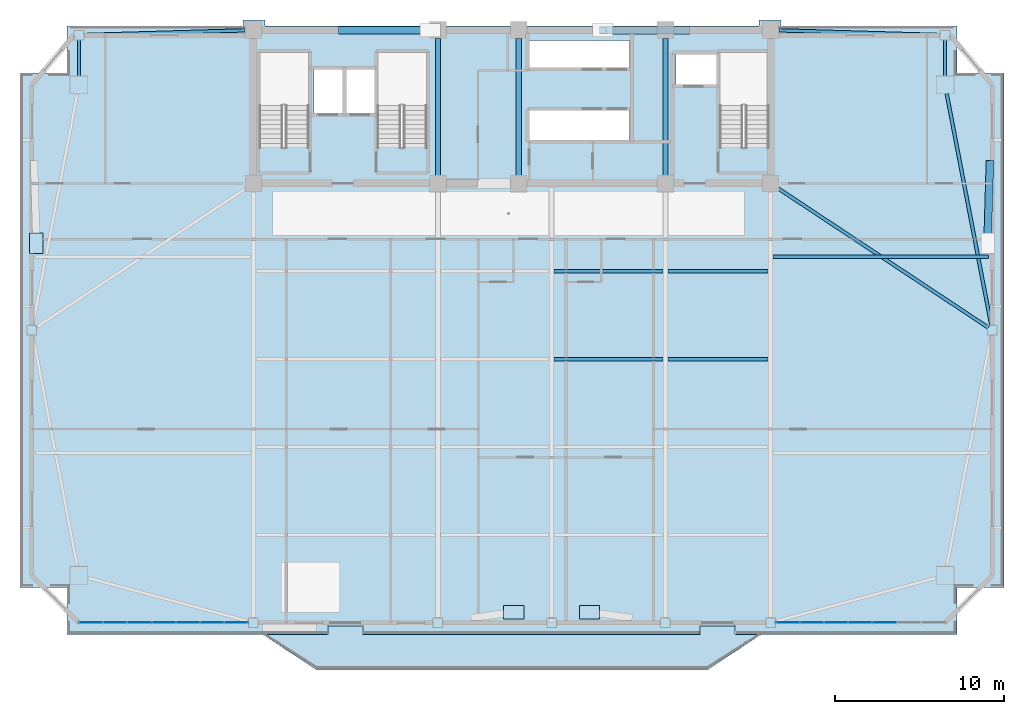
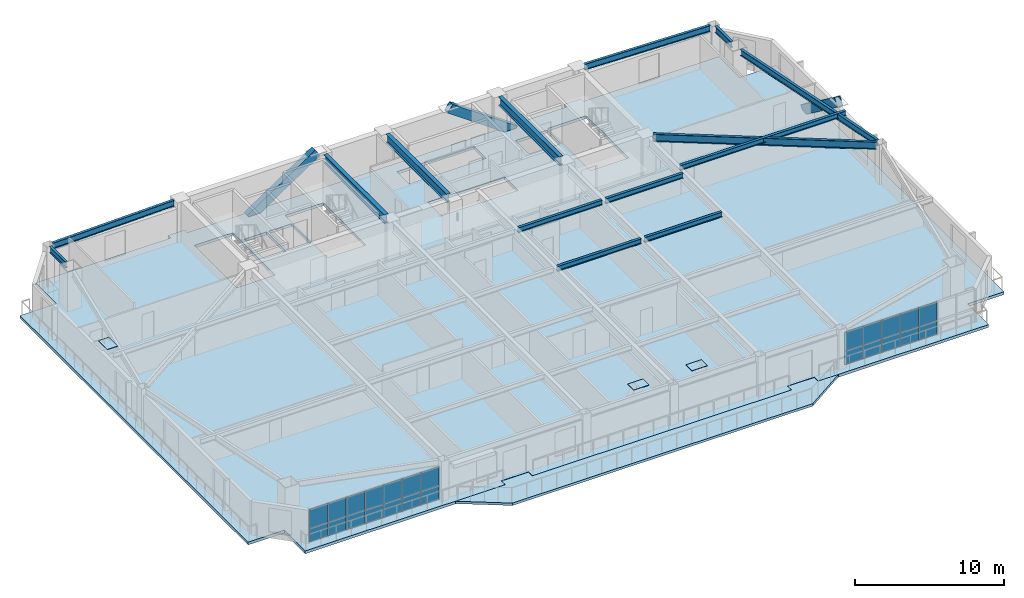
# One storey, part 7 of 17: 27 plates, 14 beams, 3 members, 2 slabs, 2 elements without a shape of their own.
"""IFC4 building model written with IfcOpenShell, lengths in metres."""

from ifc_helpers import new_model, si_unit, direction, frame, origin, origin_2d, place, context, subcontext, project, spatial, polyline, rectangle, hollow_rectangle, i_section, outline, extrude, source, transform, mapped, material, layer, layer_set, material_profile, profile_set, type_object, element, aggregate, save


model = new_model("IFC4")

# Units and contexts
model_context = context("Model", 3, precision=1e-05, world=origin(), true_north=direction((0.0, 1.0)))
body_context = subcontext(model_context, "Body", "Model", "MODEL_VIEW")
ifc_project = project(units=[si_unit("LENGTHUNIT", "METRE"), si_unit("AREAUNIT", "SQUARE_METRE"), si_unit("VOLUMEUNIT", "CUBIC_METRE"), si_unit("PLANEANGLEUNIT", "RADIAN"), si_unit("MASSUNIT", "GRAM", prefix="KILO")], contexts=[model_context])

# Site, building, storey
site_placement = place(None, origin())
site = spatial("IfcSite", under=ifc_project, at=site_placement, CompositionType="ELEMENT")
building_placement = place(site_placement, origin())
building = spatial("IfcBuilding", under=site, at=building_placement, Name="Giltprow Tower", CompositionType="ELEMENT")
storey_placement = place(building_placement, frame((0.0, 0.0, 206.199951171875)))
storey = spatial("IfcBuildingStorey", under=building, at=storey_placement, Name="L52", CompositionType="ELEMENT", Elevation=206.199951171875)

# Beams
ifc_material_1 = material(Name="Structural steel Q355B", Category="steel")
ifc_material_profile_1 = material_profile(ifc_material_1, i_section(OverallWidth=0.300048828125, OverallDepth=0.699951171875, WebThickness=0.012939453125, FlangeThickness=0.02392578125, at=origin_2d()), Name="HN 700x300x13x24")
ifc_profile_set_1 = profile_set([ifc_material_profile_1], Name="Structural steel Q355B")
beam_type_1 = type_object("IfcBeamType", Name="BM-GIRD-HN700", PredefinedType="BEAM", material=ifc_profile_set_1)
shared_shape_1 = source(origin(), body_context, "Body", "SweptSolid", [
    extrude(i_section(OverallWidth=0.300048828125, OverallDepth=0.699951171875, WebThickness=0.012939453125, FlangeThickness=0.02392578125, at=origin_2d()), origin(), (0.0, 0.0, 1.0), 8.1298828125),
])
for number, where, z_axis, x_axis, name in (
    (1, (30.800048828125, 37.93505859375, 2.920166015625), (0.0, 1.0, 0.0), (-1.0, 0.0, 0.0), "L52 Core Tie Girder M1"),
    (2, (35.60009765625, 37.93505859375, 2.920166015625), (0.0, 1.0, 0.0), (-1.0, 0.0, 0.0), "L52 Core Tie Girder M2"),
    (3, (44.300048828125, 37.93505859375, 2.920166015625), (0.0, 1.0, 0.0), (-1.0, 0.0, 0.0), "L52 Core Tie Girder M3"),
):
    element("IfcBeam", number, at=place(storey_placement, frame(where, z_axis=z_axis, x_axis=x_axis)), inside=storey, type_object=beam_type_1, Name=name, PredefinedType="BEAM", context=body_context, shape_type="MappedRepresentation", body=[
        mapped(shared_shape_1, transform((0.0, 0.0, 0.0), x_axis=(1.0, 0.0, 0.0), y_axis=(0.0, 1.0, 0.0), z_axis=(0.0, 0.0, 1.0), scale=1.0)),
    ])
ifc_material_profile_2 = material_profile(ifc_material_1, i_section(OverallWidth=0.199951171875, OverallDepth=0.5, WebThickness=0.010009765625, FlangeThickness=0.01611328125, at=origin_2d()), Name="HN 500x200x10x16")
ifc_profile_set_2 = profile_set([ifc_material_profile_2], Name="Structural steel Q355B")
beam_type_2 = type_object("IfcBeamType", Name="BM-SPAN-HN500", PredefinedType="SPANDREL", material=ifc_profile_set_2)
shared_shape_2 = source(origin(), body_context, "Body", "SweptSolid", [
    extrude(i_section(OverallWidth=0.199951171875, OverallDepth=0.5, WebThickness=0.010009765625, FlangeThickness=0.01611328125, at=origin_2d()), origin(), (0.0, 0.0, 1.0), 14.00390625),
])
beam_1_placement = place(storey_placement, frame((63.64404296875, 29.02294921875, 3.02001953125), z_axis=(-0.188875844444, 0.982000975247, 0.0), x_axis=(-0.982000975247, -0.188875844444, 0.0)))
element("IfcBeam", 4, at=beam_1_placement, inside=storey, type_object=beam_type_2, Name="L52 Perimeter Spandrel Beam E_MID-MC_NE", PredefinedType="SPANDREL", context=body_context, shape_type="MappedRepresentation", body=[
    mapped(shared_shape_2, transform((0.0, 0.0, 0.0), x_axis=(1.0, 0.0, 0.0), y_axis=(0.0, 1.0, 0.0), z_axis=(0.0, 0.0, 1.0), scale=1.0)),
])
shared_shape_3 = source(origin(), body_context, "Body", "SweptSolid", [
    extrude(i_section(OverallWidth=0.199951171875, OverallDepth=0.5, WebThickness=0.010009765625, FlangeThickness=0.01611328125, at=origin_2d()), origin(), (0.0, 0.0, 1.0), 2.130126953125),
])
for number, where, z_axis, x_axis, name in (
    (5, (60.89794921875, 43.8349609375, 3.02001953125), (0.0, 1.0, 0.0), (-1.0, 0.0, 0.0), "L52 Perimeter Spandrel Beam MC_NE-N_E"),
    (6, (9.5029296875, 45.965087890625, 3.02001953125), (0.0, -1.0, 0.0), (1.0, 0.0, 0.0), "L52 Perimeter Spandrel Beam N_W-MC_NW"),
):
    element("IfcBeam", number, at=place(storey_placement, frame(where, z_axis=z_axis, x_axis=x_axis)), inside=storey, type_object=beam_type_2, Name=name, PredefinedType="SPANDREL", context=body_context, shape_type="MappedRepresentation", body=[
        mapped(shared_shape_3, transform((0.0, 0.0, 0.0), x_axis=(1.0, 0.0, 0.0), y_axis=(0.0, 1.0, 0.0), z_axis=(0.0, 0.0, 1.0), scale=1.0)),
    ])
shared_shape_4 = source(origin(), body_context, "Body", "SweptSolid", [
    extrude(i_section(OverallWidth=0.199951171875, OverallDepth=0.5, WebThickness=0.010009765625, FlangeThickness=0.01611328125, at=origin_2d()), origin(), (0.0, 0.0, 1.0), 9.5810546875),
])
beam_2_placement = place(storey_placement, frame((9.7880859375, 46.258056640625, 3.02001953125), z_axis=(0.999579457094, 0.028998430218, 0.0), x_axis=(-0.028998430218, 0.999579457094, 0.0)))
element("IfcBeam", 7, at=beam_2_placement, inside=storey, type_object=beam_type_2, Name="L52 North Wing Spandrel W", PredefinedType="SPANDREL", context=body_context, shape_type="MappedRepresentation", body=[
    mapped(shared_shape_4, transform((0.0, 0.0, 0.0), x_axis=(1.0, 0.0, 0.0), y_axis=(0.0, 1.0, 0.0), z_axis=(0.0, 0.0, 1.0), scale=1.0)),
])
shared_shape_5 = source(origin(), body_context, "Body", "SweptSolid", [
    extrude(i_section(OverallWidth=0.199951171875, OverallDepth=0.5, WebThickness=0.010009765625, FlangeThickness=0.01611328125, at=origin_2d()), origin(), (0.0, 0.0, 1.0), 9.582275390625),
])
beam_3_placement = place(storey_placement, frame((51.034912109375, 46.535888671875, 3.02001953125), z_axis=(0.999579564214, -0.028994737563, 0.0), x_axis=(0.028994737563, 0.999579564214, 0.0)))
element("IfcBeam", 8, at=beam_3_placement, inside=storey, type_object=beam_type_2, Name="L52 North Wing Spandrel E", PredefinedType="SPANDREL", context=body_context, shape_type="MappedRepresentation", body=[
    mapped(shared_shape_5, transform((0.0, 0.0, 0.0), x_axis=(1.0, 0.0, 0.0), y_axis=(0.0, 1.0, 0.0), z_axis=(0.0, 0.0, 1.0), scale=1.0)),
])
ifc_material_profile_3 = material_profile(ifc_material_1, i_section(OverallWidth=0.199951171875, OverallDepth=0.60009765625, WebThickness=0.010986328125, FlangeThickness=0.01708984375, at=origin_2d()), Name="HN 600x200x11x17")
ifc_profile_set_3 = profile_set([ifc_material_profile_3], Name="Structural steel Q355B")
beam_type_3 = type_object("IfcBeamType", Name="BM-GIRD-HN600", PredefinedType="BEAM", material=ifc_profile_set_3)
shared_shape_6 = source(origin(), body_context, "Body", "SweptSolid", [
    extrude(i_section(OverallWidth=0.199951171875, OverallDepth=0.60009765625, WebThickness=0.010986328125, FlangeThickness=0.01708984375, at=origin_2d()), origin(), (0.0, 0.0, 1.0), 14.99951171875),
])
beam_4_placement = place(storey_placement, frame((63.4599609375, 28.89990234375, 2.969970703125), z_axis=(-0.833746652219, 0.552147190442, 0.0), x_axis=(-0.552147190442, -0.833746652219, 0.0)))
element("IfcBeam", 9, at=beam_4_placement, inside=storey, type_object=beam_type_3, Name="L52 East Wing Primary Girder", PredefinedType="BEAM", context=body_context, shape_type="MappedRepresentation", body=[
    mapped(shared_shape_6, transform((0.0, 0.0, 0.0), x_axis=(1.0, 0.0, 0.0), y_axis=(0.0, 1.0, 0.0), z_axis=(0.0, 0.0, 1.0), scale=1.0)),
])
ifc_material_profile_4 = material_profile(ifc_material_1, i_section(OverallWidth=0.199951171875, OverallDepth=0.39990234375, WebThickness=0.008056640625, FlangeThickness=0.012939453125, at=origin_2d()), Name="HN 400x200x8x13")
ifc_profile_set_4 = profile_set([ifc_material_profile_4], Name="Structural steel Q355B")
beam_type_4 = type_object("IfcBeamType", Name="BM-JOIST-HN400", PredefinedType="JOIST", material=ifc_profile_set_4)
shared_shape_7 = source(origin(), body_context, "Body", "SweptSolid", [
    extrude(i_section(OverallWidth=0.199951171875, OverallDepth=0.39990234375, WebThickness=0.008056640625, FlangeThickness=0.012939453125, at=origin_2d()), origin(), (0.0, 0.0, 1.0), 6.4599609375),
])
for number, where, z_axis, x_axis, name in (
    (10, (37.695068359375, 27.02392578125, 3.070068359375), (1.0, 0.0, 0.0), (0.0, 1.0, 0.0), "L52 Composite Floor Joist 3-3"),
    (11, (37.695068359375, 32.237060546875, 3.070068359375), (1.0, 0.0, 0.0), (0.0, 1.0, 0.0), "L52 Composite Floor Joist 4-3"),
):
    element("IfcBeam", number, at=place(storey_placement, frame(where, z_axis=z_axis, x_axis=x_axis)), inside=storey, type_object=beam_type_4, Name=name, PredefinedType="JOIST", context=body_context, shape_type="MappedRepresentation", body=[
        mapped(shared_shape_7, transform((0.0, 0.0, 0.0), x_axis=(1.0, 0.0, 0.0), y_axis=(0.0, 1.0, 0.0), z_axis=(0.0, 0.0, 1.0), scale=1.0)),
    ])
shared_shape_8 = source(origin(), body_context, "Body", "SweptSolid", [
    extrude(i_section(OverallWidth=0.199951171875, OverallDepth=0.39990234375, WebThickness=0.008056640625, FlangeThickness=0.012939453125, at=origin_2d()), origin(), (0.0, 0.0, 1.0), 5.9599609375),
])
for number, where, z_axis, x_axis, name in (
    (12, (44.445068359375, 27.02392578125, 3.070068359375), (1.0, 0.0, 0.0), (0.0, 1.0, 0.0), "L52 Composite Floor Joist 3-4"),
    (13, (44.445068359375, 32.237060546875, 3.070068359375), (1.0, 0.0, 0.0), (0.0, 1.0, 0.0), "L52 Composite Floor Joist 4-4"),
):
    element("IfcBeam", number, at=place(storey_placement, frame(where, z_axis=z_axis, x_axis=x_axis)), inside=storey, type_object=beam_type_4, Name=name, PredefinedType="JOIST", context=body_context, shape_type="MappedRepresentation", body=[
        mapped(shared_shape_8, transform((0.0, 0.0, 0.0), x_axis=(1.0, 0.0, 0.0), y_axis=(0.0, 1.0, 0.0), z_axis=(0.0, 0.0, 1.0), scale=1.0)),
    ])
shared_shape_9 = source(origin(), body_context, "Body", "SweptSolid", [
    extrude(i_section(OverallWidth=0.199951171875, OverallDepth=0.39990234375, WebThickness=0.008056640625, FlangeThickness=0.012939453125, at=origin_2d()), origin(), (0.0, 0.0, 1.0), 12.782958984375),
])
beam_5_placement = place(storey_placement, frame((50.695068359375, 33.095947265625, 3.070068359375), z_axis=(1.0, 0.0, 0.0), x_axis=(0.0, 1.0, 0.0)))
element("IfcBeam", 14, at=beam_5_placement, inside=storey, type_object=beam_type_4, Name="L52 East Wing Floor Joist 2", PredefinedType="JOIST", context=body_context, shape_type="MappedRepresentation", body=[
    mapped(shared_shape_9, transform((0.0, 0.0, 0.0), x_axis=(1.0, 0.0, 0.0), y_axis=(0.0, 1.0, 0.0), z_axis=(0.0, 0.0, 1.0), scale=1.0)),
])

# Members
ifc_material_2 = material(Name="Structural steel Q420GJC", Category="steel")
ifc_material_profile_5 = material_profile(ifc_material_2, hollow_rectangle(XDim=0.449951171875, YDim=0.699951171875, WallThickness=0.031982421875, at=origin_2d()), Name="RHS 700x450x32")
ifc_profile_set_5 = profile_set([ifc_material_profile_5], Name="Structural steel Q420GJC")
member_type = type_object("IfcMemberType", Name="MBR-MEGA-RHS700", PredefinedType="BRACE", material=ifc_profile_set_5)
shared_shape_10 = source(origin(), body_context, "Body", "SweptSolid", [
    extrude(hollow_rectangle(XDim=0.449951171875, YDim=0.699951171875, WallThickness=0.031982421875, at=origin_2d()), origin(), (0.0, 0.0, 1.0), 6.309814453125),
])
member_1_placement = place(storey_placement, frame((25.10009765625, 46.550048828125, -0.139892578125), z_axis=(0.832050294338, 0.0, 0.554700196225), x_axis=(0.0, 1.0, 0.0)))
element("IfcMember", 15, at=member_1_placement, inside=storey, type_object=member_type, Name="L52 Chevron Mega-Brace N-L", PredefinedType="BRACE", context=body_context, shape_type="MappedRepresentation", body=[
    mapped(shared_shape_10, transform((0.0, 0.0, 0.0), x_axis=(1.0, 0.0, 0.0), y_axis=(0.0, 1.0, 0.0), z_axis=(0.0, 0.0, 1.0), scale=1.0)),
])
shared_shape_11 = source(origin(), body_context, "Body", "SweptSolid", [
    extrude(hollow_rectangle(XDim=0.449951171875, YDim=0.699951171875, WallThickness=0.031982421875, at=origin_2d()), origin(), (0.0, 0.0, 1.0), 6.090087890625),
])
member_2_placement = place(storey_placement, frame((45.56689453125, 46.550048828125, -0.139892578125), z_axis=(-0.81836087487, 0.0, 0.574704688064), x_axis=(0.0, -1.0, 0.0)))
element("IfcMember", 16, at=member_2_placement, inside=storey, type_object=member_type, Name="L52 Chevron Mega-Brace N-R", PredefinedType="BRACE", context=body_context, shape_type="MappedRepresentation", body=[
    mapped(shared_shape_11, transform((0.0, 0.0, 0.0), x_axis=(1.0, 0.0, 0.0), y_axis=(0.0, 1.0, 0.0), z_axis=(0.0, 0.0, 1.0), scale=1.0)),
])
shared_shape_12 = source(origin(), body_context, "Body", "SweptSolid", [
    extrude(hollow_rectangle(XDim=0.449951171875, YDim=0.699951171875, WallThickness=0.031982421875, at=origin_2d()), origin(), (0.0, 0.0, 1.0), 5.859375),
])
member_3_placement = place(storey_placement, frame((63.55908203125, 38.60302734375, 0.0), z_axis=(-0.023583735141, -0.801638657896, 0.597343510556), x_axis=(0.999567529909, -0.029406685479, 0.0)))
element("IfcMember", 17, at=member_3_placement, inside=storey, type_object=member_type, Name="L52 Chevron Mega-Brace E-R", PredefinedType="BRACE", context=body_context, shape_type="MappedRepresentation", body=[
    mapped(shared_shape_12, transform((0.0, 0.0, 0.0), x_axis=(1.0, 0.0, 0.0), y_axis=(0.0, 1.0, 0.0), z_axis=(0.0, 0.0, 1.0), scale=1.0)),
])

# Slabs
ifc_material_3 = material(Name="Concrete C40", Category="concrete")
ifc_layer_1 = layer(ifc_material_3, 0.199951171875, Name="Concrete C40")
ifc_layer_set_1 = layer_set([ifc_layer_1], Name="Concrete C40")
slab_type_1 = type_object("IfcSlabType", Name="SLB-BALC-BRONZE-200", PredefinedType="FLOOR", material=ifc_layer_set_1)
slab_1_placement = place(storey_placement, frame((0.0, 0.0, -0.199951171875)))
element("IfcSlab", 18, at=slab_1_placement, inside=storey, type_object=slab_type_1, Name="L52 Bronze Prow Waterfront Balcony Slab", PredefinedType="FLOOR", context=body_context, shape_type="SweptSolid", body=[
    extrude(outline(polyline([(50.0, 10.68603515625), (46.800048828125, 8.5859375), (23.60009765625, 8.5859375), (20.39990234375, 10.68603515625), (24.280029296875, 10.68603515625), (24.280029296875, 11.18603515625), (26.320068359375, 11.18603515625), (26.320068359375, 10.68603515625), (46.3798828125, 10.68603515625), (46.3798828125, 11.18603515625), (48.419921875, 11.18603515625), (48.419921875, 10.68603515625), (50.0, 10.68603515625)])), origin(), (0.0, 0.0, 1.0), 0.199951171875),
])
ifc_layer_2 = layer(ifc_material_3, 0.22998046875, Name="Concrete C40")
ifc_layer_set_2 = layer_set([ifc_layer_2], Name="Concrete C40")
slab_type_2 = type_object("IfcSlabType", Name="SLB-HTL-230", PredefinedType="FLOOR", material=ifc_layer_set_2)
slab_2_placement = place(storey_placement, frame((0.0, 0.0, -0.22998046875)))
element("IfcSlab", 19, at=slab_2_placement, inside=storey, type_object=slab_type_2, Name="L52 Structural Composite Floor Slab", PredefinedType="FLOOR", context=body_context, shape_type="SweptSolid", body=[
    extrude(outline(polyline([(64.39794921875, 44.0), (64.39794921875, 13.486083984375), (61.597900390625, 13.486083984375), (61.597900390625, 10.68603515625), (48.449951171875, 10.68603515625), (48.449951171875, 11.2060546875), (46.35009765625, 11.2060546875), (46.35009765625, 10.68603515625), (26.35009765625, 10.68603515625), (26.35009765625, 11.2060546875), (24.25, 11.2060546875), (24.25, 10.68603515625), (8.802978515625, 10.68603515625), (8.802978515625, 13.486083984375), (6.0029296875, 13.486083984375), (6.0029296875, 44.0), (8.802978515625, 44.0), (8.802978515625, 46.800048828125), (19.25, 46.800048828125), (19.25, 47.14990234375), (20.550048828125, 47.14990234375), (20.550048828125, 46.800048828125), (49.85009765625, 46.800048828125), (49.85009765625, 47.14990234375), (51.14990234375, 47.14990234375), (51.14990234375, 46.800048828125), (61.597900390625, 46.800048828125), (61.597900390625, 44.0), (64.39794921875, 44.0)]), holes=[polyline([(42.169921875, 41.800048828125), (36.239990234375, 41.800048828125), (36.239990234375, 40.0), (42.169921875, 40.0), (42.169921875, 41.800048828125)]), polyline([(23.159912109375, 39.570068359375), (23.159912109375, 45.25), (20.199951171875, 45.25), (20.199951171875, 39.570068359375), (23.159912109375, 39.570068359375)]), polyline([(30.159912109375, 39.570068359375), (30.159912109375, 45.25), (27.199951171875, 45.25), (27.199951171875, 39.570068359375), (30.159912109375, 39.570068359375)]), polyline([(50.4599609375, 45.25), (47.5, 45.25), (47.5, 39.570068359375), (50.4599609375, 39.570068359375), (50.4599609375, 45.25)]), polyline([(25.169921875, 44.199951171875), (23.449951171875, 44.199951171875), (23.449951171875, 41.60009765625), (25.169921875, 41.60009765625), (25.169921875, 44.199951171875)]), polyline([(27.10009765625, 44.199951171875), (25.35009765625, 44.199951171875), (25.35009765625, 41.60009765625), (27.10009765625, 41.60009765625), (27.10009765625, 44.199951171875)]), polyline([(47.3798828125, 43.300048828125), (47.3798828125, 45.10009765625), (44.919921875, 45.10009765625), (44.919921875, 43.300048828125), (47.3798828125, 43.300048828125)]), polyline([(42.169921875, 44.300048828125), (42.169921875, 45.919921875), (36.239990234375, 45.919921875), (36.239990234375, 44.300048828125), (42.169921875, 44.300048828125)])]), origin(), (0.0, 0.0, 1.0), 0.22998046875),
])

# Plates
plate_type_1 = type_object("IfcPlateType", Name="PLT-CAP-SEAL", PredefinedType="USERDEFINED", material=ifc_material_2)
shared_shape_13 = source(origin(), body_context, "Body", "SweptSolid", [
    extrude(rectangle(XDim=1.199951171875, YDim=0.800048828125, at=origin_2d()), origin(), (0.0, 0.0, 1.0), 0.034912109375),
])
for number, where, z_axis, x_axis, name in (
    (20, (35.300048828125, 12.007080078125, 3.482421875), (0.0, 0.0, 1.0), (1.0, 0.0, 0.0), "Mega-Brace Node L52-S-LB"),
    (21, (39.800048828125, 12.007080078125, 3.482421875), (0.0, 0.0, 1.0), (1.0, 0.0, 0.0), "Mega-Brace Node L52-S-RB"),
    (22, (6.97998046875, 33.906005859375, 3.482421875), (0.0, 0.0, 1.0), (0.0, 1.0, 0.0), "Mega-Brace Node L52-W-RB"),
):
    element("IfcPlate", number, at=place(storey_placement, frame(where, z_axis=z_axis, x_axis=x_axis)), inside=storey, type_object=plate_type_1, Name=name, ObjectType="SPLICE", PredefinedType="USERDEFINED", context=body_context, shape_type="MappedRepresentation", body=[
        mapped(shared_shape_13, transform((0.0, 0.0, 0.0), x_axis=(1.0, 0.0, 0.0), y_axis=(0.0, 1.0, 0.0), z_axis=(0.0, 0.0, 1.0), scale=1.0)),
    ])

# Curtain wall, plates
ifc_material_4 = material(Name="Anodized bronze", Category="metal")
ifc_layer_3 = layer(ifc_material_4, 0.179931640625, Name="Anodized bronze")
ifc_layer_set_3 = layer_set([ifc_layer_3], Name="Anodized bronze")
curtain_wall_type = type_object("IfcCurtainWallType", Name="CW-HTL-BRONZE", PredefinedType="NOTDEFINED", material=ifc_layer_set_3)
curtain_wall_1_placement = place(storey_placement, origin())
curtain_wall_1 = element("IfcCurtainWall", 23, at=curtain_wall_1_placement, inside=storey, type_object=curtain_wall_type, Name="L52 South Recessed Curtain Wall 1", PredefinedType="NOTDEFINED")
ifc_material_5 = material(Name="Insulated glass", Category="glass")
plate_type_2 = type_object("IfcPlateType", Name="CW-PANEL-IGU-28", PredefinedType="CURTAIN_PANEL", material=ifc_material_5)
shared_shape_14 = source(origin(), body_context, "Body", "SweptSolid", [
    extrude(rectangle(XDim=1.405029296875, YDim=0.028076171875, at=origin_2d()), origin(), (0.0, 0.0, 1.0), 1.0869140625),
])
plate_1_placement = place(storey_placement, frame((10.220947265625, 11.385986328125, 0.0546875), z_axis=(0.0, 0.0, 1.0), x_axis=(1.0, 0.0, 0.0)))
plate_1 = element("IfcPlate", 24, at=plate_1_placement, type_object=plate_type_2, Name="L52 South Recessed Curtain Wall 1 Glazing Panel 1-1", PredefinedType="CURTAIN_PANEL", context=body_context, shape_type="MappedRepresentation", body=[
    mapped(shared_shape_14, transform((0.0, 0.0, 0.0), x_axis=(1.0, 0.0, 0.0), y_axis=(0.0, 1.0, 0.0), z_axis=(0.0, 0.0, 1.0), scale=1.0)),
])
plate_2_placement = place(storey_placement, frame((11.656005859375, 11.385986328125, 0.0546875), z_axis=(0.0, 0.0, 1.0), x_axis=(1.0, 0.0, 0.0)))
plate_2 = element("IfcPlate", 25, at=plate_2_placement, type_object=plate_type_2, Name="L52 South Recessed Curtain Wall 1 Glazing Panel 2-1", PredefinedType="CURTAIN_PANEL", context=body_context, shape_type="MappedRepresentation", body=[
    mapped(shared_shape_14, transform((0.0, 0.0, 0.0), x_axis=(1.0, 0.0, 0.0), y_axis=(0.0, 1.0, 0.0), z_axis=(0.0, 0.0, 1.0), scale=1.0)),
])
plate_3_placement = place(storey_placement, frame((13.091064453125, 11.385986328125, 0.0546875), z_axis=(0.0, 0.0, 1.0), x_axis=(1.0, 0.0, 0.0)))
plate_3 = element("IfcPlate", 26, at=plate_3_placement, type_object=plate_type_2, Name="L52 South Recessed Curtain Wall 1 Glazing Panel 3-1", PredefinedType="CURTAIN_PANEL", context=body_context, shape_type="MappedRepresentation", body=[
    mapped(shared_shape_14, transform((0.0, 0.0, 0.0), x_axis=(1.0, 0.0, 0.0), y_axis=(0.0, 1.0, 0.0), z_axis=(0.0, 0.0, 1.0), scale=1.0)),
])
plate_4_placement = place(storey_placement, frame((14.527099609375, 11.385986328125, 0.0546875), z_axis=(0.0, 0.0, 1.0), x_axis=(1.0, 0.0, 0.0)))
plate_4 = element("IfcPlate", 27, at=plate_4_placement, type_object=plate_type_2, Name="L52 South Recessed Curtain Wall 1 Glazing Panel 4-1", PredefinedType="CURTAIN_PANEL", context=body_context, shape_type="MappedRepresentation", body=[
    mapped(shared_shape_14, transform((0.0, 0.0, 0.0), x_axis=(1.0, 0.0, 0.0), y_axis=(0.0, 1.0, 0.0), z_axis=(0.0, 0.0, 1.0), scale=1.0)),
])
plate_5_placement = place(storey_placement, frame((15.9619140625, 11.385986328125, 0.0546875), z_axis=(0.0, 0.0, 1.0), x_axis=(1.0, 0.0, 0.0)))
plate_5 = element("IfcPlate", 28, at=plate_5_placement, type_object=plate_type_2, Name="L52 South Recessed Curtain Wall 1 Glazing Panel 5-1", PredefinedType="CURTAIN_PANEL", context=body_context, shape_type="MappedRepresentation", body=[
    mapped(shared_shape_14, transform((0.0, 0.0, 0.0), x_axis=(1.0, 0.0, 0.0), y_axis=(0.0, 1.0, 0.0), z_axis=(0.0, 0.0, 1.0), scale=1.0)),
])
plate_6_placement = place(storey_placement, frame((17.39697265625, 11.385986328125, 0.0546875), z_axis=(0.0, 0.0, 1.0), x_axis=(1.0, 0.0, 0.0)))
plate_6 = element("IfcPlate", 29, at=plate_6_placement, type_object=plate_type_2, Name="L52 South Recessed Curtain Wall 1 Glazing Panel 6-1", PredefinedType="CURTAIN_PANEL", context=body_context, shape_type="MappedRepresentation", body=[
    mapped(shared_shape_14, transform((0.0, 0.0, 0.0), x_axis=(1.0, 0.0, 0.0), y_axis=(0.0, 1.0, 0.0), z_axis=(0.0, 0.0, 1.0), scale=1.0)),
])
plate_7_placement = place(storey_placement, frame((18.83203125, 11.385986328125, 0.0546875), z_axis=(0.0, 0.0, 1.0), x_axis=(1.0, 0.0, 0.0)))
plate_7 = element("IfcPlate", 30, at=plate_7_placement, type_object=plate_type_2, Name="L52 South Recessed Curtain Wall 1 Glazing Panel 7-1", PredefinedType="CURTAIN_PANEL", context=body_context, shape_type="MappedRepresentation", body=[
    mapped(shared_shape_14, transform((0.0, 0.0, 0.0), x_axis=(1.0, 0.0, 0.0), y_axis=(0.0, 1.0, 0.0), z_axis=(0.0, 0.0, 1.0), scale=1.0)),
])

curtain_wall_2_placement = place(storey_placement, origin())
curtain_wall_2 = element("IfcCurtainWall", 31, at=curtain_wall_2_placement, inside=storey, type_object=curtain_wall_type, Name="L52 South Recessed Curtain Wall 6", PredefinedType="NOTDEFINED")
plate_8_placement = place(storey_placement, frame((51.568115234375, 11.385986328125, 0.0546875), z_axis=(0.0, 0.0, 1.0), x_axis=(1.0, 0.0, 0.0)))
plate_8 = element("IfcPlate", 32, at=plate_8_placement, type_object=plate_type_2, Name="L52 South Recessed Curtain Wall 6 Glazing Panel 1-1", PredefinedType="CURTAIN_PANEL", context=body_context, shape_type="MappedRepresentation", body=[
    mapped(shared_shape_14, transform((0.0, 0.0, 0.0), x_axis=(1.0, 0.0, 0.0), y_axis=(0.0, 1.0, 0.0), z_axis=(0.0, 0.0, 1.0), scale=1.0)),
])
plate_9_placement = place(storey_placement, frame((53.0029296875, 11.385986328125, 0.0546875), z_axis=(0.0, 0.0, 1.0), x_axis=(1.0, 0.0, 0.0)))
plate_9 = element("IfcPlate", 33, at=plate_9_placement, type_object=plate_type_2, Name="L52 South Recessed Curtain Wall 6 Glazing Panel 2-1", PredefinedType="CURTAIN_PANEL", context=body_context, shape_type="MappedRepresentation", body=[
    mapped(shared_shape_14, transform((0.0, 0.0, 0.0), x_axis=(1.0, 0.0, 0.0), y_axis=(0.0, 1.0, 0.0), z_axis=(0.0, 0.0, 1.0), scale=1.0)),
])
plate_10_placement = place(storey_placement, frame((54.43896484375, 11.385986328125, 0.0546875), z_axis=(0.0, 0.0, 1.0), x_axis=(1.0, 0.0, 0.0)))
plate_10 = element("IfcPlate", 34, at=plate_10_placement, type_object=plate_type_2, Name="L52 South Recessed Curtain Wall 6 Glazing Panel 3-1", PredefinedType="CURTAIN_PANEL", context=body_context, shape_type="MappedRepresentation", body=[
    mapped(shared_shape_14, transform((0.0, 0.0, 0.0), x_axis=(1.0, 0.0, 0.0), y_axis=(0.0, 1.0, 0.0), z_axis=(0.0, 0.0, 1.0), scale=1.0)),
])
plate_11_placement = place(storey_placement, frame((55.8740234375, 11.385986328125, 0.0546875), z_axis=(0.0, 0.0, 1.0), x_axis=(1.0, 0.0, 0.0)))
plate_11 = element("IfcPlate", 35, at=plate_11_placement, type_object=plate_type_2, Name="L52 South Recessed Curtain Wall 6 Glazing Panel 4-1", PredefinedType="CURTAIN_PANEL", context=body_context, shape_type="MappedRepresentation", body=[
    mapped(shared_shape_14, transform((0.0, 0.0, 0.0), x_axis=(1.0, 0.0, 0.0), y_axis=(0.0, 1.0, 0.0), z_axis=(0.0, 0.0, 1.0), scale=1.0)),
])
plate_12_placement = place(storey_placement, frame((57.30908203125, 11.385986328125, 0.0546875), z_axis=(0.0, 0.0, 1.0), x_axis=(1.0, 0.0, 0.0)))
plate_12 = element("IfcPlate", 36, at=plate_12_placement, type_object=plate_type_2, Name="L52 South Recessed Curtain Wall 6 Glazing Panel 5-1", PredefinedType="CURTAIN_PANEL", context=body_context, shape_type="MappedRepresentation", body=[
    mapped(shared_shape_14, transform((0.0, 0.0, 0.0), x_axis=(1.0, 0.0, 0.0), y_axis=(0.0, 1.0, 0.0), z_axis=(0.0, 0.0, 1.0), scale=1.0)),
])

# Plate
shared_shape_15 = source(origin(), body_context, "Body", "SweptSolid", [
    extrude(rectangle(XDim=1.405029296875, YDim=0.028076171875, at=origin_2d()), origin(), (0.0, 0.0, 1.0), 1.527099609375),
])
plate_13_placement = place(storey_placement, frame((10.220947265625, 11.385986328125, 1.16845703125), z_axis=(0.0, 0.0, 1.0), x_axis=(1.0, 0.0, 0.0)))
plate_13 = element("IfcPlate", 37, at=plate_13_placement, type_object=plate_type_2, Name="L52 South Recessed Curtain Wall 1 Glazing Panel 1-2", PredefinedType="CURTAIN_PANEL", context=body_context, shape_type="MappedRepresentation", body=[
    mapped(shared_shape_15, transform((0.0, 0.0, 0.0), x_axis=(1.0, 0.0, 0.0), y_axis=(0.0, 1.0, 0.0), z_axis=(0.0, 0.0, 1.0), scale=1.0)),
])

plate_14_placement = place(storey_placement, frame((11.656005859375, 11.385986328125, 1.16845703125), z_axis=(0.0, 0.0, 1.0), x_axis=(1.0, 0.0, 0.0)))
plate_14 = element("IfcPlate", 38, at=plate_14_placement, type_object=plate_type_2, Name="L52 South Recessed Curtain Wall 1 Glazing Panel 2-2", PredefinedType="CURTAIN_PANEL", context=body_context, shape_type="MappedRepresentation", body=[
    mapped(shared_shape_15, transform((0.0, 0.0, 0.0), x_axis=(1.0, 0.0, 0.0), y_axis=(0.0, 1.0, 0.0), z_axis=(0.0, 0.0, 1.0), scale=1.0)),
])

plate_15_placement = place(storey_placement, frame((13.091064453125, 11.385986328125, 1.16845703125), z_axis=(0.0, 0.0, 1.0), x_axis=(1.0, 0.0, 0.0)))
plate_15 = element("IfcPlate", 39, at=plate_15_placement, type_object=plate_type_2, Name="L52 South Recessed Curtain Wall 1 Glazing Panel 3-2", PredefinedType="CURTAIN_PANEL", context=body_context, shape_type="MappedRepresentation", body=[
    mapped(shared_shape_15, transform((0.0, 0.0, 0.0), x_axis=(1.0, 0.0, 0.0), y_axis=(0.0, 1.0, 0.0), z_axis=(0.0, 0.0, 1.0), scale=1.0)),
])

plate_16_placement = place(storey_placement, frame((14.527099609375, 11.385986328125, 1.16845703125), z_axis=(0.0, 0.0, 1.0), x_axis=(1.0, 0.0, 0.0)))
plate_16 = element("IfcPlate", 40, at=plate_16_placement, type_object=plate_type_2, Name="L52 South Recessed Curtain Wall 1 Glazing Panel 4-2", PredefinedType="CURTAIN_PANEL", context=body_context, shape_type="MappedRepresentation", body=[
    mapped(shared_shape_15, transform((0.0, 0.0, 0.0), x_axis=(1.0, 0.0, 0.0), y_axis=(0.0, 1.0, 0.0), z_axis=(0.0, 0.0, 1.0), scale=1.0)),
])

plate_17_placement = place(storey_placement, frame((15.9619140625, 11.385986328125, 1.16845703125), z_axis=(0.0, 0.0, 1.0), x_axis=(1.0, 0.0, 0.0)))
plate_17 = element("IfcPlate", 41, at=plate_17_placement, type_object=plate_type_2, Name="L52 South Recessed Curtain Wall 1 Glazing Panel 5-2", PredefinedType="CURTAIN_PANEL", context=body_context, shape_type="MappedRepresentation", body=[
    mapped(shared_shape_15, transform((0.0, 0.0, 0.0), x_axis=(1.0, 0.0, 0.0), y_axis=(0.0, 1.0, 0.0), z_axis=(0.0, 0.0, 1.0), scale=1.0)),
])

plate_18_placement = place(storey_placement, frame((17.39697265625, 11.385986328125, 1.16845703125), z_axis=(0.0, 0.0, 1.0), x_axis=(1.0, 0.0, 0.0)))
plate_18 = element("IfcPlate", 42, at=plate_18_placement, type_object=plate_type_2, Name="L52 South Recessed Curtain Wall 1 Glazing Panel 6-2", PredefinedType="CURTAIN_PANEL", context=body_context, shape_type="MappedRepresentation", body=[
    mapped(shared_shape_15, transform((0.0, 0.0, 0.0), x_axis=(1.0, 0.0, 0.0), y_axis=(0.0, 1.0, 0.0), z_axis=(0.0, 0.0, 1.0), scale=1.0)),
])

plate_19_placement = place(storey_placement, frame((18.83203125, 11.385986328125, 1.16845703125), z_axis=(0.0, 0.0, 1.0), x_axis=(1.0, 0.0, 0.0)))
plate_19 = element("IfcPlate", 43, at=plate_19_placement, type_object=plate_type_2, Name="L52 South Recessed Curtain Wall 1 Glazing Panel 7-2", PredefinedType="CURTAIN_PANEL", context=body_context, shape_type="MappedRepresentation", body=[
    mapped(shared_shape_15, transform((0.0, 0.0, 0.0), x_axis=(1.0, 0.0, 0.0), y_axis=(0.0, 1.0, 0.0), z_axis=(0.0, 0.0, 1.0), scale=1.0)),
])

aggregate(curtain_wall_1, [plate_1, plate_13, plate_2, plate_14, plate_3, plate_15, plate_4, plate_16, plate_5, plate_17, plate_6, plate_18, plate_7, plate_19])

plate_20_placement = place(storey_placement, frame((51.568115234375, 11.385986328125, 1.16845703125), z_axis=(0.0, 0.0, 1.0), x_axis=(1.0, 0.0, 0.0)))
plate_20 = element("IfcPlate", 44, at=plate_20_placement, type_object=plate_type_2, Name="L52 South Recessed Curtain Wall 6 Glazing Panel 1-2", PredefinedType="CURTAIN_PANEL", context=body_context, shape_type="MappedRepresentation", body=[
    mapped(shared_shape_15, transform((0.0, 0.0, 0.0), x_axis=(1.0, 0.0, 0.0), y_axis=(0.0, 1.0, 0.0), z_axis=(0.0, 0.0, 1.0), scale=1.0)),
])

plate_21_placement = place(storey_placement, frame((53.0029296875, 11.385986328125, 1.16845703125), z_axis=(0.0, 0.0, 1.0), x_axis=(1.0, 0.0, 0.0)))
plate_21 = element("IfcPlate", 45, at=plate_21_placement, type_object=plate_type_2, Name="L52 South Recessed Curtain Wall 6 Glazing Panel 2-2", PredefinedType="CURTAIN_PANEL", context=body_context, shape_type="MappedRepresentation", body=[
    mapped(shared_shape_15, transform((0.0, 0.0, 0.0), x_axis=(1.0, 0.0, 0.0), y_axis=(0.0, 1.0, 0.0), z_axis=(0.0, 0.0, 1.0), scale=1.0)),
])

plate_22_placement = place(storey_placement, frame((54.43896484375, 11.385986328125, 1.16845703125), z_axis=(0.0, 0.0, 1.0), x_axis=(1.0, 0.0, 0.0)))
plate_22 = element("IfcPlate", 46, at=plate_22_placement, type_object=plate_type_2, Name="L52 South Recessed Curtain Wall 6 Glazing Panel 3-2", PredefinedType="CURTAIN_PANEL", context=body_context, shape_type="MappedRepresentation", body=[
    mapped(shared_shape_15, transform((0.0, 0.0, 0.0), x_axis=(1.0, 0.0, 0.0), y_axis=(0.0, 1.0, 0.0), z_axis=(0.0, 0.0, 1.0), scale=1.0)),
])

plate_23_placement = place(storey_placement, frame((55.8740234375, 11.385986328125, 1.16845703125), z_axis=(0.0, 0.0, 1.0), x_axis=(1.0, 0.0, 0.0)))
plate_23 = element("IfcPlate", 47, at=plate_23_placement, type_object=plate_type_2, Name="L52 South Recessed Curtain Wall 6 Glazing Panel 4-2", PredefinedType="CURTAIN_PANEL", context=body_context, shape_type="MappedRepresentation", body=[
    mapped(shared_shape_15, transform((0.0, 0.0, 0.0), x_axis=(1.0, 0.0, 0.0), y_axis=(0.0, 1.0, 0.0), z_axis=(0.0, 0.0, 1.0), scale=1.0)),
])

plate_24_placement = place(storey_placement, frame((57.30908203125, 11.385986328125, 1.16845703125), z_axis=(0.0, 0.0, 1.0), x_axis=(1.0, 0.0, 0.0)))
plate_24 = element("IfcPlate", 48, at=plate_24_placement, type_object=plate_type_2, Name="L52 South Recessed Curtain Wall 6 Glazing Panel 5-2", PredefinedType="CURTAIN_PANEL", context=body_context, shape_type="MappedRepresentation", body=[
    mapped(shared_shape_15, transform((0.0, 0.0, 0.0), x_axis=(1.0, 0.0, 0.0), y_axis=(0.0, 1.0, 0.0), z_axis=(0.0, 0.0, 1.0), scale=1.0)),
])

aggregate(curtain_wall_2, [plate_8, plate_20, plate_9, plate_21, plate_10, plate_22, plate_11, plate_23, plate_12, plate_24])

save(model, "model.ifc")
